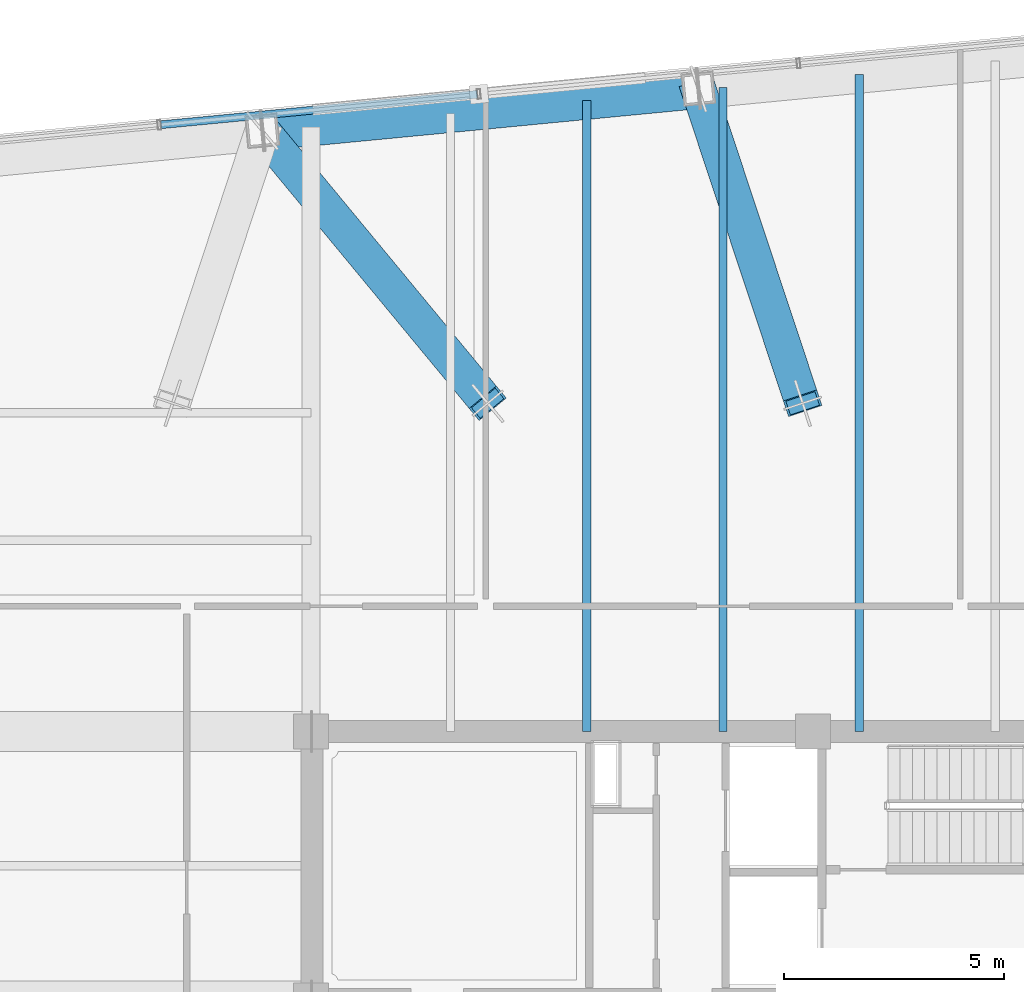
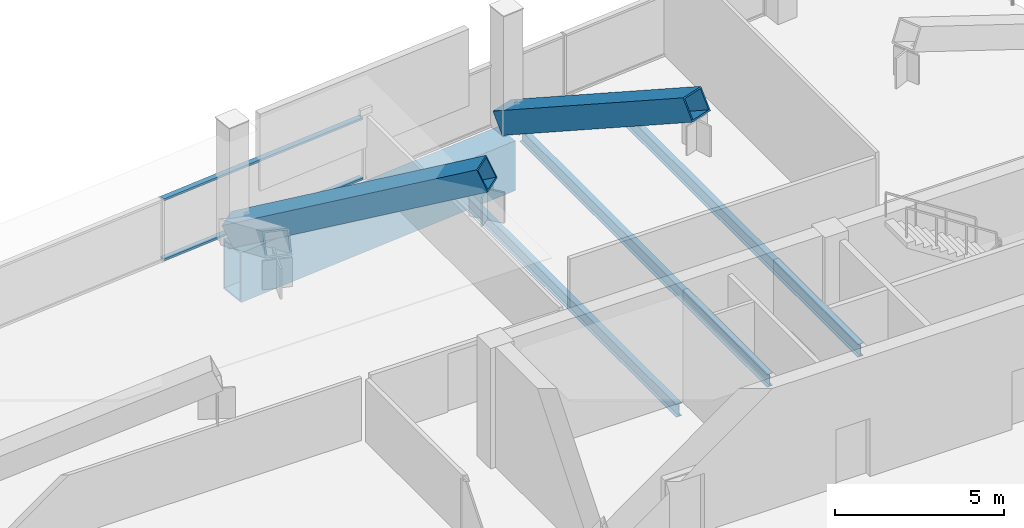
# One storey, part 12 of 22: 4 beams, 4 members, 1 element without a shape of its own.
"""IFC4 building model written with IfcOpenShell, lengths in metres."""

from ifc_helpers import new_model, si_unit, direction, frame, origin, origin_2d, place, context, subcontext, project, spatial, hollow_rectangle, i_section, extrude, material, layer, layer_set, material_profile, profile_set, type_object, element, aggregate, save


model = new_model("IFC4")

# Units and contexts
model_context = context("Model", 3, precision=1e-05, world=origin(), true_north=direction((0.0, 1.0)))
body_context = subcontext(model_context, "Body", "Model", "MODEL_VIEW")
ifc_project = project(units=[si_unit("LENGTHUNIT", "METRE"), si_unit("AREAUNIT", "SQUARE_METRE"), si_unit("VOLUMEUNIT", "CUBIC_METRE"), si_unit("PLANEANGLEUNIT", "RADIAN"), si_unit("MASSUNIT", "GRAM", prefix="KILO")], contexts=[model_context])

# Site, building, storey
site_placement = place(None, origin())
site = spatial("IfcSite", under=ifc_project, at=site_placement, CompositionType="ELEMENT")
building_placement = place(site_placement, origin())
building = spatial("IfcBuilding", under=site, at=building_placement, Name="Qhalaya Broadcast Tower", CompositionType="ELEMENT")
storey_placement = place(building_placement, frame((0.0, 0.0, 183.60009765625)))
storey = spatial("IfcBuildingStorey", under=building, at=storey_placement, Name="L54", CompositionType="ELEMENT", Elevation=183.60009765625)

# Beams
ifc_material_1 = material(Name="Structural Steel ASTM A572 Grade 50", Category="steel")
ifc_material_profile_1 = material_profile(ifc_material_1, hollow_rectangle(XDim=0.89990234375, YDim=1.800048828125, WallThickness=0.06005859375, at=origin_2d()), Name="BOX 900x1800x60")
ifc_profile_set_1 = profile_set([ifc_material_profile_1], Name="Structural Steel ASTM A572 Grade 50")
beam_type_1 = type_object("IfcBeamType", Name="Block Cantilever Transfer Box Girder TG1", PredefinedType="USERDEFINED", material=ifc_profile_set_1)
beam_1_placement = place(storey_placement, frame((-0.558837890625, 24.572509765625, -1.1201171875), z_axis=(-0.995395510024, -0.095852900965, 0.0), x_axis=(0.095852900965, -0.995395510024, 0.0)))
element("IfcBeam", 1, at=beam_1_placement, inside=storey, type_object=beam_type_1, Name="L54 TG1 L54-SPR-10", ObjectType="GIRDER", PredefinedType="USERDEFINED", context=body_context, shape_type="SweptSolid", body=[
    extrude(hollow_rectangle(XDim=0.89990234375, YDim=1.800048828125, WallThickness=0.06005859375, at=origin_2d()), origin(), (0.0, 0.0, 1.0), 9.966552734375),
])
ifc_material_2 = material(Name="Structural Steel ASTM A992 Grade 50", Category="steel")
ifc_material_profile_2 = material_profile(ifc_material_2, i_section(OverallWidth=0.19189453125, OverallDepth=0.462890625, WebThickness=0.010498046875, FlangeThickness=0.017578125, at=origin_2d()), Name="W18X60")
ifc_profile_set_2 = profile_set([ifc_material_profile_2], Name="Structural Steel ASTM A992 Grade 50")
beam_type_2 = type_object("IfcBeamType", Name="Composite Floor Joist J03", PredefinedType="JOIST", material=ifc_profile_set_2)
beam_2_placement = place(storey_placement, frame((-3.10009765625, 9.949951171875, -0.45166015625), z_axis=(0.0, 1.0, 0.0), x_axis=(-1.0, 0.0, 0.0)))
element("IfcBeam", 2, at=beam_2_placement, inside=storey, type_object=beam_type_2, Name="L54 J03 L54-JNN2-1", PredefinedType="JOIST", context=body_context, shape_type="SweptSolid", body=[
    extrude(i_section(OverallWidth=0.19189453125, OverallDepth=0.462890625, WebThickness=0.010498046875, FlangeThickness=0.017578125, at=origin_2d()), origin(), (0.0, 0.0, 1.0), 14.35791015625),
])
beam_3_placement = place(storey_placement, frame((0.0, 9.949951171875, -0.45166015625), z_axis=(0.0, 1.0, 0.0), x_axis=(-1.0, 0.0, 0.0)))
element("IfcBeam", 3, at=beam_3_placement, inside=storey, type_object=beam_type_2, Name="L54 J03 L54-JNN3-1", PredefinedType="JOIST", context=body_context, shape_type="SweptSolid", body=[
    extrude(i_section(OverallWidth=0.19189453125, OverallDepth=0.462890625, WebThickness=0.010498046875, FlangeThickness=0.017578125, at=origin_2d()), origin(), (0.0, 0.0, 1.0), 14.65625),
])
beam_4_placement = place(storey_placement, frame((3.10009765625, 9.949951171875, -0.45166015625), z_axis=(0.0, 1.0, 0.0), x_axis=(-1.0, 0.0, 0.0)))
element("IfcBeam", 4, at=beam_4_placement, inside=storey, type_object=beam_type_2, Name="L54 J03 L54-JNN4-1", PredefinedType="JOIST", context=body_context, shape_type="SweptSolid", body=[
    extrude(i_section(OverallWidth=0.19189453125, OverallDepth=0.462890625, WebThickness=0.010498046875, FlangeThickness=0.017578125, at=origin_2d()), origin(), (0.0, 0.0, 1.0), 14.954833984375),
])

# Curtain wall, members
ifc_material_3 = material(Name="Fired Architectural Terracotta", Category="masonry")
ifc_layer = layer(ifc_material_3, 0.219970703125, Name="Fired Architectural Terracotta")
ifc_layer_set = layer_set([ifc_layer], Name="Fired Architectural Terracotta")
curtain_wall_type = type_object("IfcCurtainWallType", Name="Block-Cap Unitised Terracotta Spandrel Wall CW-07", PredefinedType="NOTDEFINED", material=ifc_layer_set)
curtain_wall_placement = place(storey_placement, origin())
curtain_wall = element("IfcCurtainWall", 5, at=curtain_wall_placement, inside=storey, type_object=curtain_wall_type, Name="L54 Unitised Curtain Wall L54-CW-N", PredefinedType="NOTDEFINED")
ifc_material_4 = material(Name="Anodised Aluminium 6063-T6", Category="aluminium")
ifc_material_profile_3 = material_profile(ifc_material_4, hollow_rectangle(XDim=0.074951171875, YDim=0.179931640625, WallThickness=0.00390625, at=origin_2d()), Name="ALU-TRN 75x180x4")
ifc_profile_set_3 = profile_set([ifc_material_profile_3], Name="Anodised Aluminium 6063-T6")
member_type_1 = type_object("IfcMemberType", Name="Unitised Curtain-Wall Transom T01", PredefinedType="USERDEFINED", material=ifc_profile_set_3)
member_1_placement = place(storey_placement, frame((-12.788818359375, 23.756591796875, 0.037353515625), z_axis=(0.995395533886, 0.095852653168, 0.0), x_axis=(0.0, 0.0, 1.0)))
member_1 = element("IfcMember", 6, at=member_1_placement, type_object=member_type_1, Name="CW-07 transom 2.1", ObjectType="TRANSOM", PredefinedType="USERDEFINED", context=body_context, shape_type="SweptSolid", body=[
    extrude(hollow_rectangle(XDim=0.074951171875, YDim=0.179931640625, WallThickness=0.00390625, at=origin_2d()), origin(), (0.0, 0.0, 1.0), 7.23095703125),
])
member_2_placement = place(storey_placement, frame((-12.788818359375, 23.756591796875, 2.21240234375), z_axis=(0.995395533886, 0.095852653168, 0.0), x_axis=(0.0, 0.0, 1.0)))
member_2 = element("IfcMember", 7, at=member_2_placement, type_object=member_type_1, Name="CW-07 transom 2.2", ObjectType="TRANSOM", PredefinedType="USERDEFINED", context=body_context, shape_type="SweptSolid", body=[
    extrude(hollow_rectangle(XDim=0.074951171875, YDim=0.179931640625, WallThickness=0.00390625, at=origin_2d()), origin(), (0.0, 0.0, 1.0), 7.23095703125),
])
aggregate(curtain_wall, [member_1, member_2])

# Members
ifc_material_profile_4 = material_profile(ifc_material_1, hollow_rectangle(XDim=0.800048828125, YDim=0.800048828125, WallThickness=0.050048828125, at=origin_2d()), Name="BOX 800x800x50")
ifc_profile_set_4 = profile_set([ifc_material_profile_4], Name="Structural Steel ASTM A572 Grade 50")
member_type_2 = type_object("IfcMemberType", Name="Upper Exoskeleton Transfer Strut RK2", PredefinedType="BRACE", material=ifc_profile_set_4)
member_3_placement = place(storey_placement, frame((-0.558837890625, 24.572509765625, 0.363525390625), z_axis=(0.278246002504, -0.839005057159, 0.467599910342), x_axis=(0.949164923262, 0.314779205871, 0.0)))
element("IfcMember", 8, at=member_3_placement, inside=storey, type_object=member_type_2, Name="L54 Inclined Exoskeleton Transfer Strut 10", PredefinedType="BRACE", context=body_context, shape_type="SweptSolid", body=[
    extrude(hollow_rectangle(XDim=0.800048828125, YDim=0.800048828125, WallThickness=0.050048828125, at=origin_2d()), origin(), (0.0, 0.0, 1.0), 8.525146484375),
])
member_4_placement = place(storey_placement, frame((-10.4794921875, 23.6171875, 0.368408203125), z_axis=(0.571217990289, -0.690565198147, 0.443654950023), x_axis=(0.770550082838, 0.637379455143, 0.0)))
element("IfcMember", 9, at=member_4_placement, inside=storey, type_object=member_type_2, Name="L54 Inclined Exoskeleton Transfer Strut 11", PredefinedType="BRACE", context=body_context, shape_type="SweptSolid", body=[
    extrude(hollow_rectangle(XDim=0.800048828125, YDim=0.800048828125, WallThickness=0.050048828125, at=origin_2d()), origin(), (0.0, 0.0, 1.0), 8.97412109375),
])

save(model, "model.ifc")
